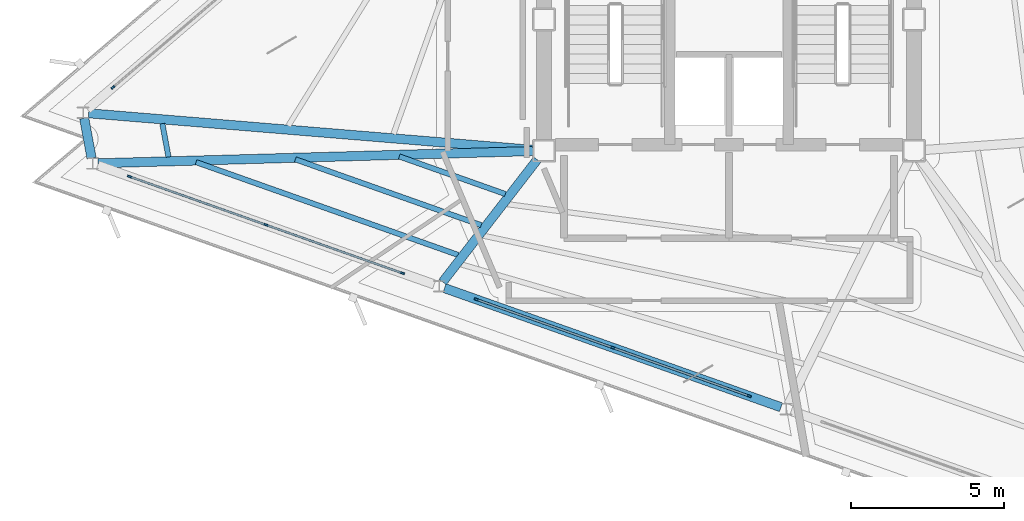
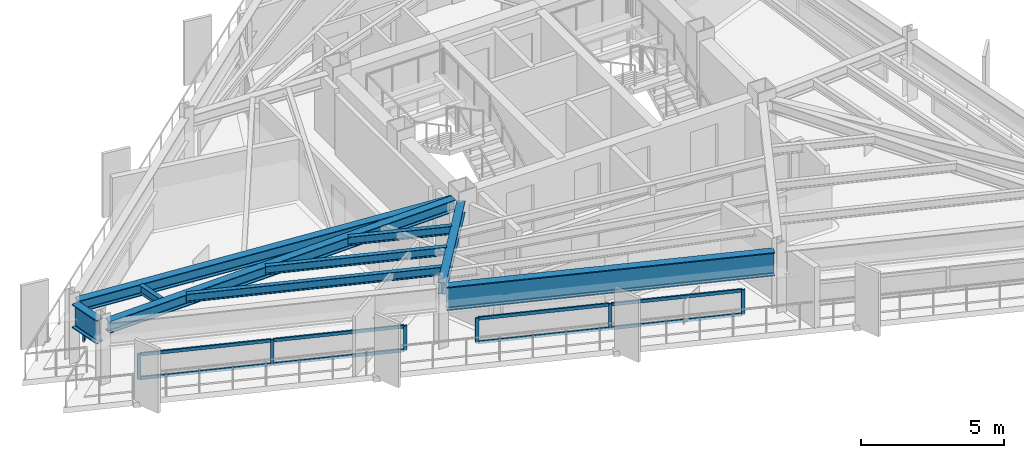
# One storey, part 2 of 14: 15 members, 9 beams, 3 elements without a shape of their own.
"""IFC4 building model written with IfcOpenShell, lengths in metres."""

from ifc_helpers import new_model, si_unit, direction, frame, origin, origin_2d, place, context, subcontext, project, spatial, rectangle, i_section, extrude, material, layer, layer_set, material_profile, profile_set, type_object, element, aggregate, save


model = new_model("IFC4")

# Units and contexts
model_context = context("Model", 3, precision=1e-05, world=origin(), true_north=direction((0.0, 1.0)))
body_context = subcontext(model_context, "Body", "Model", "MODEL_VIEW")
ifc_project = project(units=[si_unit("LENGTHUNIT", "METRE"), si_unit("AREAUNIT", "SQUARE_METRE"), si_unit("VOLUMEUNIT", "CUBIC_METRE"), si_unit("PLANEANGLEUNIT", "RADIAN"), si_unit("MASSUNIT", "GRAM", prefix="KILO")], contexts=[model_context])

# Site, building, storey
site_placement = place(None, origin())
site = spatial("IfcSite", under=ifc_project, at=site_placement, CompositionType="ELEMENT")
building_placement = place(site_placement, origin())
building = spatial("IfcBuilding", under=site, at=building_placement, Name="Rocaltana Carrier Exchange", CompositionType="ELEMENT")
storey_placement = place(building_placement, frame((0.0, 0.0, 190.56005859375)))
storey = spatial("IfcBuildingStorey", under=building, at=storey_placement, Name="L60", CompositionType="ELEMENT", Elevation=190.56005859375)

# Curtain wall, member
ifc_material_1 = material(Name="Aluminium 6063-T6", Category="aluminium")
ifc_layer = layer(ifc_material_1, 0.135009765625)
ifc_layer_set = layer_set([ifc_layer], Name="Aluminium 6063-T6")
curtain_wall_type = type_object("IfcCurtainWallType", Name="Upper-Mid Acoustic Curtain Wall CW-04", PredefinedType="NOTDEFINED", material=ifc_layer_set)
curtain_wall_1_placement = place(storey_placement, origin())
curtain_wall_1 = element("IfcCurtainWall", 1, at=curtain_wall_1_placement, inside=storey, type_object=curtain_wall_type, Name="L60 CW-04 Run CW-L60-F2S3", PredefinedType="NOTDEFINED")
ifc_material_2 = material(Name="Aluminium 6063-T6", Category="aluminium")
ifc_material_profile_1 = material_profile(ifc_material_2, rectangle(XDim=0.06494140625, YDim=0.135009765625, at=origin_2d()), Name="AL-65X135")
ifc_profile_set_1 = profile_set([ifc_material_profile_1], Name="Aluminium 6063-T6")
member_type_1 = type_object("IfcMemberType", Name="CW-04 Mullion AL-65X135", PredefinedType="MULLION", material=ifc_profile_set_1)
member_1_placement = place(storey_placement, frame((-20.14990234375, -2.2255859375, 0.0), z_axis=(0.0, 0.0, 1.0), x_axis=(0.649447944918, -0.760406053922, 0.0)))
member_1 = element("IfcMember", 2, at=member_1_placement, type_object=member_type_1, Name="CW-04 mullion 3", PredefinedType="MULLION", context=body_context, shape_type="SweptSolid", body=[
    extrude(rectangle(XDim=0.06494140625, YDim=0.135009765625, at=origin_2d()), origin(), (0.0, 0.0, 1.0), 1.077880859375),
])
aggregate(curtain_wall_1, [member_1])

# Curtain wall, members
curtain_wall_2_placement = place(storey_placement, origin())
curtain_wall_2 = element("IfcCurtainWall", 3, at=curtain_wall_2_placement, inside=storey, type_object=curtain_wall_type, Name="L60 CW-04 Run CW-L60-F3S1", PredefinedType="NOTDEFINED")
member_2_placement = place(storey_placement, frame((-19.609130859375, -5.143310546875, 0.0), z_axis=(0.0, 0.0, 1.0), x_axis=(0.333795491383, 0.942645516582, 0.0)))
member_2 = element("IfcMember", 4, at=member_2_placement, type_object=member_type_1, Name="CW-04 mullion 1", PredefinedType="MULLION", context=body_context, shape_type="SweptSolid", body=[
    extrude(rectangle(XDim=0.06494140625, YDim=0.135009765625, at=origin_2d()), origin(), (0.0, 0.0, 1.0), 1.077880859375),
])
member_3_placement = place(storey_placement, frame((-15.146484375, -6.7236328125, 0.0), z_axis=(0.0, 0.0, 1.0), x_axis=(0.333795491383, 0.942645516582, 0.0)))
member_3 = element("IfcMember", 5, at=member_3_placement, type_object=member_type_1, Name="CW-04 mullion 2", PredefinedType="MULLION", context=body_context, shape_type="SweptSolid", body=[
    extrude(rectangle(XDim=0.06494140625, YDim=0.135009765625, at=origin_2d()), origin(), (0.0, 0.0, 1.0), 1.077880859375),
])
member_4_placement = place(storey_placement, frame((-10.683837890625, -8.303955078125, 0.0), z_axis=(0.0, 0.0, 1.0), x_axis=(0.333795491383, 0.942645516582, 0.0)))
member_4 = element("IfcMember", 6, at=member_4_placement, type_object=member_type_1, Name="CW-04 mullion 3", PredefinedType="MULLION", context=body_context, shape_type="SweptSolid", body=[
    extrude(rectangle(XDim=0.06494140625, YDim=0.135009765625, at=origin_2d()), origin(), (0.0, 0.0, 1.0), 1.077880859375),
])

curtain_wall_3_placement = place(storey_placement, origin())
curtain_wall_3 = element("IfcCurtainWall", 7, at=curtain_wall_3_placement, inside=storey, type_object=curtain_wall_type, Name="L60 CW-04 Run CW-L60-F3S2", PredefinedType="NOTDEFINED")
member_5_placement = place(storey_placement, frame((-8.265869140625, -9.16015625, 0.0), z_axis=(0.0, 0.0, 1.0), x_axis=(0.333798791936, 0.942644347833, 0.0)))
member_5 = element("IfcMember", 8, at=member_5_placement, type_object=member_type_1, Name="CW-04 mullion 1", PredefinedType="MULLION", context=body_context, shape_type="SweptSolid", body=[
    extrude(rectangle(XDim=0.06494140625, YDim=0.135009765625, at=origin_2d()), origin(), (0.0, 0.0, 1.0), 1.077880859375),
])
member_6_placement = place(storey_placement, frame((-3.803466796875, -10.740478515625, 0.0), z_axis=(0.0, 0.0, 1.0), x_axis=(0.333798791936, 0.942644347833, 0.0)))
member_6 = element("IfcMember", 9, at=member_6_placement, type_object=member_type_1, Name="CW-04 mullion 2", PredefinedType="MULLION", context=body_context, shape_type="SweptSolid", body=[
    extrude(rectangle(XDim=0.06494140625, YDim=0.135009765625, at=origin_2d()), origin(), (0.0, 0.0, 1.0), 1.077880859375),
])
member_7_placement = place(storey_placement, frame((0.6591796875, -12.320556640625, 0.0), z_axis=(0.0, 0.0, 1.0), x_axis=(0.333798791936, 0.942644347833, 0.0)))
member_7 = element("IfcMember", 10, at=member_7_placement, type_object=member_type_1, Name="CW-04 mullion 3", PredefinedType="MULLION", context=body_context, shape_type="SweptSolid", body=[
    extrude(rectangle(XDim=0.06494140625, YDim=0.135009765625, at=origin_2d()), origin(), (0.0, 0.0, 1.0), 1.077880859375),
])

# Member
ifc_material_3 = material(Name="Aluminium 6063-T6", Category="aluminium")
ifc_material_profile_2 = material_profile(ifc_material_3, rectangle(XDim=0.06494140625, YDim=0.135009765625, at=origin_2d()), Name="AL-65X135")
ifc_profile_set_2 = profile_set([ifc_material_profile_2], Name="Aluminium 6063-T6")
member_type_2 = type_object("IfcMemberType", Name="CW-04 Transom AL-65X135", PredefinedType="USERDEFINED", material=ifc_profile_set_2)
member_8_placement = place(storey_placement, frame((-19.57861328125, -5.154296875, 0.032470703125), z_axis=(0.942658759466, -0.333758090841, 0.0), x_axis=(0.333758090841, 0.942658759466, 0.0)))
member_8 = element("IfcMember", 11, at=member_8_placement, type_object=member_type_2, Name="CW-04 transom 1.1", ObjectType="TRANSOM", PredefinedType="USERDEFINED", context=body_context, shape_type="SweptSolid", body=[
    extrude(rectangle(XDim=0.06494140625, YDim=0.135009765625, at=origin_2d()), origin(), (0.0, 0.0, 1.0), 4.669189453125),
])

member_9_placement = place(storey_placement, frame((-19.57861328125, -5.154296875, 1.04541015625), z_axis=(0.942658759466, -0.333758090841, 0.0), x_axis=(0.333758090841, 0.942658759466, 0.0)))
member_9 = element("IfcMember", 12, at=member_9_placement, type_object=member_type_2, Name="CW-04 transom 1.2", ObjectType="TRANSOM", PredefinedType="USERDEFINED", context=body_context, shape_type="SweptSolid", body=[
    extrude(rectangle(XDim=0.06494140625, YDim=0.135009765625, at=origin_2d()), origin(), (0.0, 0.0, 1.0), 4.669189453125),
])

member_10_placement = place(storey_placement, frame((-15.115966796875, -6.734375, 0.032470703125), z_axis=(0.942648133321, -0.333788101565, 0.0), x_axis=(0.333788101565, 0.942648133321, 0.0)))
member_10 = element("IfcMember", 13, at=member_10_placement, type_object=member_type_2, Name="CW-04 transom 2.1", ObjectType="TRANSOM", PredefinedType="USERDEFINED", context=body_context, shape_type="SweptSolid", body=[
    extrude(rectangle(XDim=0.06494140625, YDim=0.135009765625, at=origin_2d()), origin(), (0.0, 0.0, 1.0), 4.66943359375),
])

member_11_placement = place(storey_placement, frame((-15.115966796875, -6.734375, 1.04541015625), z_axis=(0.942648133321, -0.333788101565, 0.0), x_axis=(0.333788101565, 0.942648133321, 0.0)))
member_11 = element("IfcMember", 14, at=member_11_placement, type_object=member_type_2, Name="CW-04 transom 2.2", ObjectType="TRANSOM", PredefinedType="USERDEFINED", context=body_context, shape_type="SweptSolid", body=[
    extrude(rectangle(XDim=0.06494140625, YDim=0.135009765625, at=origin_2d()), origin(), (0.0, 0.0, 1.0), 4.66943359375),
])

aggregate(curtain_wall_2, [member_2, member_3, member_4, member_8, member_9, member_10, member_11])

member_12_placement = place(storey_placement, frame((-8.2353515625, -9.1708984375, 0.032470703125), z_axis=(0.942642307572, -0.333804553558, 0.0), x_axis=(0.333804553558, 0.942642307572, 0.0)))
member_12 = element("IfcMember", 15, at=member_12_placement, type_object=member_type_2, Name="CW-04 transom 1.1", ObjectType="TRANSOM", PredefinedType="USERDEFINED", context=body_context, shape_type="SweptSolid", body=[
    extrude(rectangle(XDim=0.06494140625, YDim=0.135009765625, at=origin_2d()), origin(), (0.0, 0.0, 1.0), 4.669189453125),
])

member_13_placement = place(storey_placement, frame((-8.2353515625, -9.1708984375, 1.04541015625), z_axis=(0.942642307572, -0.333804553558, 0.0), x_axis=(0.333804553558, 0.942642307572, 0.0)))
member_13 = element("IfcMember", 16, at=member_13_placement, type_object=member_type_2, Name="CW-04 transom 1.2", ObjectType="TRANSOM", PredefinedType="USERDEFINED", context=body_context, shape_type="SweptSolid", body=[
    extrude(rectangle(XDim=0.06494140625, YDim=0.135009765625, at=origin_2d()), origin(), (0.0, 0.0, 1.0), 4.669189453125),
])

member_14_placement = place(storey_placement, frame((-3.772705078125, -10.751220703125, 0.032470703125), z_axis=(0.942642307572, -0.333804553558, 0.0), x_axis=(0.333804553558, 0.942642307572, 0.0)))
member_14 = element("IfcMember", 17, at=member_14_placement, type_object=member_type_2, Name="CW-04 transom 2.1", ObjectType="TRANSOM", PredefinedType="USERDEFINED", context=body_context, shape_type="SweptSolid", body=[
    extrude(rectangle(XDim=0.06494140625, YDim=0.135009765625, at=origin_2d()), origin(), (0.0, 0.0, 1.0), 4.669189453125),
])

member_15_placement = place(storey_placement, frame((-3.772705078125, -10.751220703125, 1.04541015625), z_axis=(0.942642307572, -0.333804553558, 0.0), x_axis=(0.333804553558, 0.942642307572, 0.0)))
member_15 = element("IfcMember", 18, at=member_15_placement, type_object=member_type_2, Name="CW-04 transom 2.2", ObjectType="TRANSOM", PredefinedType="USERDEFINED", context=body_context, shape_type="SweptSolid", body=[
    extrude(rectangle(XDim=0.06494140625, YDim=0.135009765625, at=origin_2d()), origin(), (0.0, 0.0, 1.0), 4.669189453125),
])

aggregate(curtain_wall_3, [member_5, member_6, member_7, member_12, member_13, member_14, member_15])

# Beams
ifc_material_4 = material(Name="Steel S355", Category="steel")
ifc_material_profile_3 = material_profile(ifc_material_4, i_section(OverallWidth=0.172119140625, OverallDepth=0.35791015625, WebThickness=0.0078125, FlangeThickness=0.01318359375, FilletRadius=0.011962890625, at=origin_2d()), Name="W14X38")
ifc_profile_set_3 = profile_set([ifc_material_profile_3], Name="Steel S355")
beam_type_1 = type_object("IfcBeamType", Name="Floor Joist W14X38", PredefinedType="JOIST", material=ifc_profile_set_3)
beam_1_placement = place(storey_placement, frame((-18.5361328125, -3.4111328125, 2.43896484375), z_axis=(0.182270341783, -0.983248454108, 0.0), x_axis=(0.983248454108, 0.182270341783, 0.0)))
element("IfcBeam", 19, at=beam_1_placement, inside=storey, type_object=beam_type_1, Name="FJ-L60-08-3", PredefinedType="JOIST", context=body_context, shape_type="SweptSolid", body=[
    extrude(i_section(OverallWidth=0.172119140625, OverallDepth=0.35791015625, WebThickness=0.0078125, FlangeThickness=0.01318359375, FilletRadius=0.011962890625, at=origin_2d()), origin(), (0.0, 0.0, 1.0), 1.1103515625),
])
beam_2_placement = place(storey_placement, frame((-10.78759765625, -4.485107421875, 2.43896484375), z_axis=(0.94263244024, -0.333832416951, 0.0), x_axis=(0.333832416951, 0.94263244024, 0.0)))
element("IfcBeam", 20, at=beam_2_placement, inside=storey, type_object=beam_type_1, Name="FJ-L60-09-1", PredefinedType="JOIST", context=body_context, shape_type="SweptSolid", body=[
    extrude(i_section(OverallWidth=0.172119140625, OverallDepth=0.35791015625, WebThickness=0.0078125, FlangeThickness=0.01318359375, FilletRadius=0.011962890625, at=origin_2d()), origin(), (0.0, 0.0, 1.0), 3.682861328125),
])
beam_3_placement = place(storey_placement, frame((-14.184326171875, -4.58056640625, 2.43896484375), z_axis=(0.942637646352, -0.333817716246, 0.0), x_axis=(0.333817716246, 0.942637646352, 0.0)))
element("IfcBeam", 21, at=beam_3_placement, inside=storey, type_object=beam_type_1, Name="FJ-L60-09-2", PredefinedType="JOIST", context=body_context, shape_type="SweptSolid", body=[
    extrude(i_section(OverallWidth=0.172119140625, OverallDepth=0.35791015625, WebThickness=0.0078125, FlangeThickness=0.01318359375, FilletRadius=0.011962890625, at=origin_2d()), origin(), (0.0, 0.0, 1.0), 6.45068359375),
])
beam_4_placement = place(storey_placement, frame((-17.433349609375, -4.671875, 2.43896484375), z_axis=(0.942637076776, -0.333819324616, 0.0), x_axis=(0.333819324616, 0.942637076776, 0.0)))
element("IfcBeam", 22, at=beam_4_placement, inside=storey, type_object=beam_type_1, Name="FJ-L60-09-3", PredefinedType="JOIST", context=body_context, shape_type="SweptSolid", body=[
    extrude(i_section(OverallWidth=0.172119140625, OverallDepth=0.35791015625, WebThickness=0.0078125, FlangeThickness=0.01318359375, FilletRadius=0.011962890625, at=origin_2d()), origin(), (0.0, 0.0, 1.0), 9.09814453125),
])
ifc_material_5 = material(Name="Steel S460", Category="steel")
ifc_material_profile_4 = material_profile(ifc_material_5, i_section(OverallWidth=0.302001953125, OverallDepth=1.008056640625, WebThickness=0.02099609375, FlangeThickness=0.0400390625, FilletRadius=0.030029296875, at=origin_2d()), Name="HEM1000")
ifc_profile_set_4 = profile_set([ifc_material_profile_4], Name="Steel S460")
beam_type_2 = type_object("IfcBeamType", Name="Transfer Ring Girder HEM1000", PredefinedType="USERDEFINED", material=ifc_profile_set_4)
beam_5_placement = place(storey_placement, frame((-21.09228515625, -3.235107421875, 2.114013671875), z_axis=(0.182109041175, -0.983278341632, 0.0), x_axis=(0.983278341632, 0.182109041175, 0.0)))
element("IfcBeam", 23, at=beam_5_placement, inside=storey, type_object=beam_type_2, Name="SP-L60-08", ObjectType="TRANSFER GIRDER", PredefinedType="USERDEFINED", context=body_context, shape_type="SweptSolid", body=[
    extrude(i_section(OverallWidth=0.302001953125, OverallDepth=1.008056640625, WebThickness=0.02099609375, FlangeThickness=0.0400390625, FilletRadius=0.030029296875, at=origin_2d()), origin(), (0.0, 0.0, 1.0), 1.325927734375),
])
beam_6_placement = place(storey_placement, frame((-9.3056640625, -8.7919921875, 2.114013671875), z_axis=(0.94264079789, -0.33380881677, 0.0), x_axis=(0.33380881677, 0.94264079789, 0.0)))
element("IfcBeam", 24, at=beam_6_placement, inside=storey, type_object=beam_type_2, Name="SP-L60-10", ObjectType="TRANSFER GIRDER", PredefinedType="USERDEFINED", context=body_context, shape_type="SweptSolid", body=[
    extrude(i_section(OverallWidth=0.302001953125, OverallDepth=1.008056640625, WebThickness=0.02099609375, FlangeThickness=0.0400390625, FilletRadius=0.030029296875, at=origin_2d()), origin(), (0.0, 0.0, 1.0), 11.67431640625),
])
ifc_material_6 = material(Name="Steel S355", Category="steel")
ifc_material_profile_5 = material_profile(ifc_material_6, i_section(OverallWidth=0.300048828125, OverallDepth=0.5, WebThickness=0.014404296875, FlangeThickness=0.028076171875, FilletRadius=0.027099609375, at=origin_2d()), Name="HEB500")
ifc_profile_set_5 = profile_set([ifc_material_profile_5], Name="Steel S355")
beam_type_3 = type_object("IfcBeamType", Name="Upper Radial Girder HEB500", PredefinedType="BEAM", material=ifc_profile_set_5)
beam_7_placement = place(storey_placement, frame((-6.415771484375, -4.27001953125, 2.367919921875), z_axis=(-0.996625326102, 0.082085073988, 0.0), x_axis=(-0.082085073988, -0.996625326102, 0.0)))
element("IfcBeam", 25, at=beam_7_placement, inside=storey, type_object=beam_type_3, Name="RG-L60-08", PredefinedType="BEAM", context=body_context, shape_type="SweptSolid", body=[
    extrude(i_section(OverallWidth=0.300048828125, OverallDepth=0.5, WebThickness=0.014404296875, FlangeThickness=0.028076171875, FilletRadius=0.027099609375, at=origin_2d()), origin(), (0.0, 0.0, 1.0), 14.579833984375),
])
beam_8_placement = place(storey_placement, frame((-6.4169921875, -4.310302734375, 2.367919921875), z_axis=(-0.999604889413, -0.028108096011, 0.0), x_axis=(0.028108096011, -0.999604889413, 0.0)))
element("IfcBeam", 26, at=beam_8_placement, inside=storey, type_object=beam_type_3, Name="RG-L60-09", PredefinedType="BEAM", context=body_context, shape_type="SweptSolid", body=[
    extrude(i_section(OverallWidth=0.300048828125, OverallDepth=0.5, WebThickness=0.014404296875, FlangeThickness=0.028076171875, FilletRadius=0.027099609375, at=origin_2d()), origin(), (0.0, 0.0, 1.0), 14.227294921875),
])
beam_9_placement = place(storey_placement, frame((-6.2744140625, -4.59033203125, 2.367919921875), z_axis=(-0.611429630547, -0.791298810115, 0.0), x_axis=(0.791298810115, -0.611429630547, 0.0)))
element("IfcBeam", 27, at=beam_9_placement, inside=storey, type_object=beam_type_3, Name="RG-L60-10", PredefinedType="BEAM", context=body_context, shape_type="SweptSolid", body=[
    extrude(i_section(OverallWidth=0.300048828125, OverallDepth=0.5, WebThickness=0.014404296875, FlangeThickness=0.028076171875, FilletRadius=0.027099609375, at=origin_2d()), origin(), (0.0, 0.0, 1.0), 5.0546875),
])

save(model, "model.ifc")
